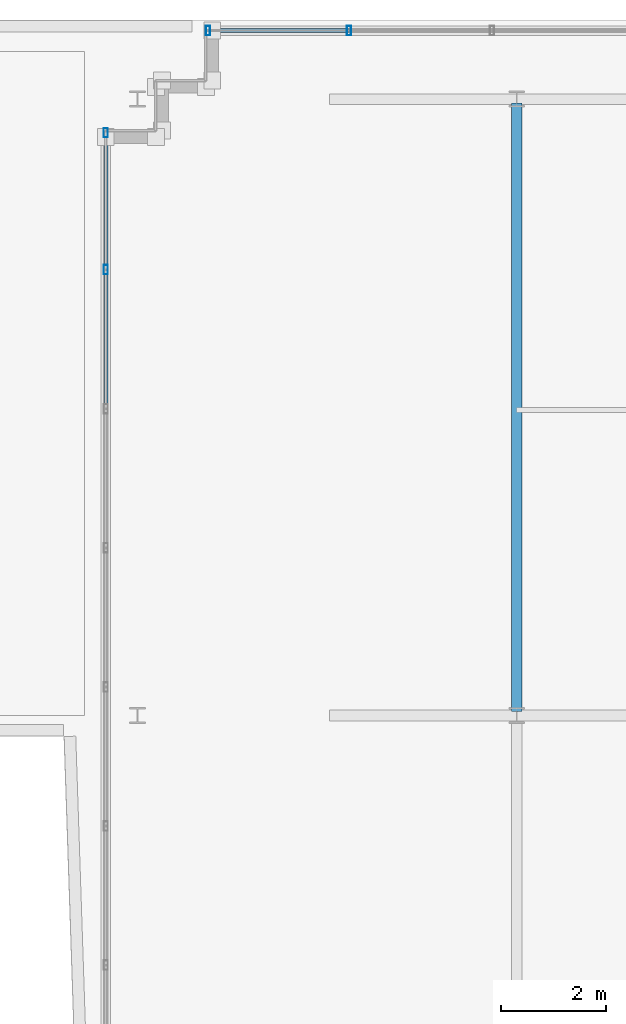
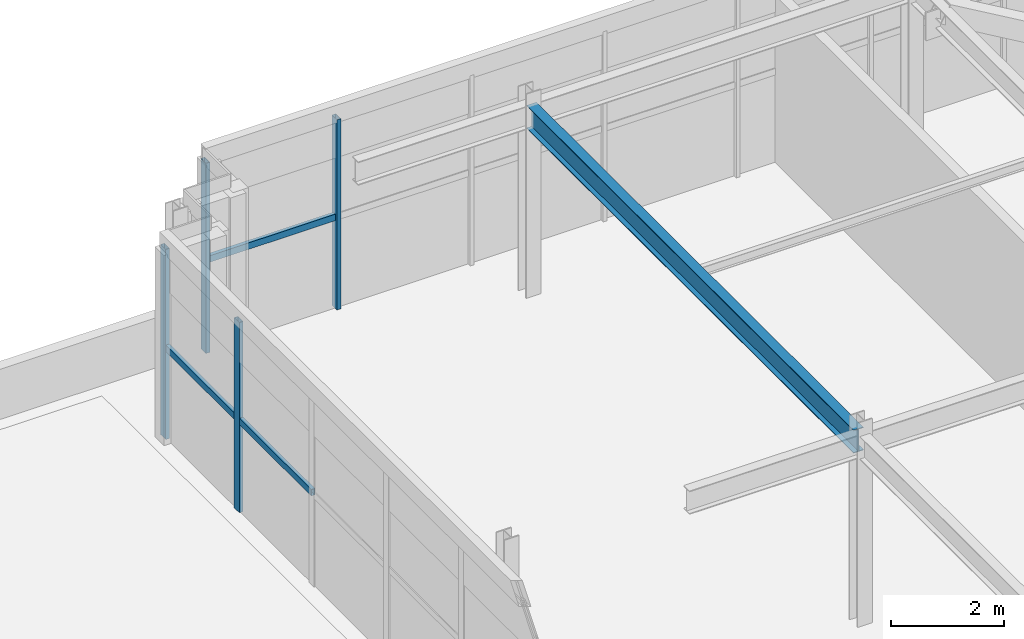
# One storey, part 20 of 31: 7 members, 1 beam, 2 elements without a shape of their own.
"""IFC4 building model written with IfcOpenShell, lengths in metres."""

from ifc_helpers import new_model, si_unit, direction, frame, origin, origin_2d, place, context, subcontext, project, spatial, hollow_rectangle, i_section, extrude, source, transform, mapped, material, material_profile, profile_set, type_object, element, aggregate, save


model = new_model("IFC4")

# Units and contexts
model_context = context("Model", 3, precision=1e-05, world=origin(), true_north=direction((0.0, 1.0)))
body_context = subcontext(model_context, "Body", "Model", "MODEL_VIEW")
ifc_project = project(units=[si_unit("LENGTHUNIT", "METRE"), si_unit("AREAUNIT", "SQUARE_METRE"), si_unit("VOLUMEUNIT", "CUBIC_METRE"), si_unit("PLANEANGLEUNIT", "RADIAN"), si_unit("MASSUNIT", "GRAM", prefix="KILO")], contexts=[model_context])

# Site, building, storey
site_placement = place(None, origin())
site = spatial("IfcSite", under=ifc_project, at=site_placement, CompositionType="ELEMENT")
building_placement = place(site_placement, origin())
building = spatial("IfcBuilding", under=site, at=building_placement, Name="Trelvane Seafront Commons", CompositionType="ELEMENT")
storey_placement = place(building_placement, frame((0.0, 0.0, 307.89990234375)))
storey = spatial("IfcBuildingStorey", under=building, at=storey_placement, Name="L80", CompositionType="ELEMENT", Elevation=307.89990234375)

# Beam
ifc_material_1 = material(Name="Steel SM355 (S355)", Category="steel")
ifc_material_profile_1 = material_profile(ifc_material_1, i_section(OverallWidth=0.199951171875, OverallDepth=0.5, WebThickness=0.010009765625, FlangeThickness=0.01611328125, at=origin_2d()), Name="H-500x200x10x16")
ifc_profile_set_1 = profile_set([ifc_material_profile_1], Name="Steel SM355 (S355)")
beam_type = type_object("IfcBeamType", Name="STR-BM-H500", PredefinedType="BEAM", material=ifc_profile_set_1)
shared_shape_1 = source(origin(), body_context, "Body", "SweptSolid", [
    extrude(i_section(OverallWidth=0.199951171875, OverallDepth=0.5, WebThickness=0.010009765625, FlangeThickness=0.01611328125, at=origin_2d()), origin(), (0.0, 0.0, 1.0), 11.5498046875),
])
beam_placement = place(storey_placement, frame((51.0, 33.47509765625, 3.85009765625), z_axis=(0.0, 1.0, 0.0), x_axis=(-1.0, 0.0, 0.0)))
element("IfcBeam", 1, at=beam_placement, inside=storey, type_object=beam_type, Name="L80 Primary Girder G-33", PredefinedType="BEAM", context=body_context, shape_type="MappedRepresentation", body=[
    mapped(shared_shape_1, transform((0.0, 0.0, 0.0), x_axis=(1.0, 0.0, 0.0), y_axis=(0.0, 1.0, 0.0), z_axis=(0.0, 0.0, 1.0), scale=1.0)),
])

# Curtain wall, members
ifc_material_2 = material(Name="Anodised pale-silver aluminium", Category="aluminium")
curtain_wall_type = type_object("IfcCurtainWallType", Name="ARCH-CW6-CROWN", PredefinedType="NOTDEFINED", material=ifc_material_2)
curtain_wall_1_placement = place(storey_placement, origin())
curtain_wall_1 = element("IfcCurtainWall", 2, at=curtain_wall_1_placement, inside=storey, type_object=curtain_wall_type, Name="CW-L80-0140", PredefinedType="NOTDEFINED")
ifc_material_profile_2 = material_profile(ifc_material_2, hollow_rectangle(XDim=0.080078125, YDim=0.179931640625, WallThickness=0.00439453125, at=origin_2d()), Name="MULL-80x180x4.5")
ifc_profile_set_2 = profile_set([ifc_material_profile_2], Name="Anodised pale-silver aluminium")
member_type_1 = type_object("IfcMemberType", Name="ARCH-CW-MULL-180", PredefinedType="MULLION", material=ifc_profile_set_2)
shared_shape_2 = source(origin(), body_context, "Body", "SweptSolid", [
    extrude(hollow_rectangle(XDim=0.080078125, YDim=0.179931640625, WallThickness=0.00439453125, at=origin_2d()), origin(), (0.0, 0.0, 1.0), 4.10009765625),
])
member_1_placement = place(storey_placement, frame((43.199951171875, 41.860107421875, 0.0), z_axis=(0.0, 0.0, 1.0), x_axis=(1.0, 0.0, 0.0)))
member_1 = element("IfcMember", 3, at=member_1_placement, type_object=member_type_1, Name="CW-L80-0140-M09", PredefinedType="MULLION", context=body_context, shape_type="MappedRepresentation", body=[
    mapped(shared_shape_2, transform((0.0, 0.0, 0.0), x_axis=(1.0, 0.0, 0.0), y_axis=(0.0, 1.0, 0.0), z_axis=(0.0, 0.0, 1.0), scale=1.0)),
])
member_2_placement = place(storey_placement, frame((43.199951171875, 44.4599609375, 0.0), z_axis=(0.0, 0.0, 1.0), x_axis=(1.0, 0.0, 0.0)))
member_2 = element("IfcMember", 4, at=member_2_placement, type_object=member_type_1, Name="CW-L80-0140-M10", PredefinedType="MULLION", context=body_context, shape_type="MappedRepresentation", body=[
    mapped(shared_shape_2, transform((0.0, 0.0, 0.0), x_axis=(1.0, 0.0, 0.0), y_axis=(0.0, 1.0, 0.0), z_axis=(0.0, 0.0, 1.0), scale=1.0)),
])

curtain_wall_2_placement = place(storey_placement, origin())
curtain_wall_2 = element("IfcCurtainWall", 5, at=curtain_wall_2_placement, inside=storey, type_object=curtain_wall_type, Name="CW-L80-0141", PredefinedType="NOTDEFINED")
member_3_placement = place(storey_placement, frame((45.139892578125, 46.39990234375, 0.0), z_axis=(0.0, 0.0, 1.0), x_axis=(1.0, 0.0, 0.0)))
member_3 = element("IfcMember", 6, at=member_3_placement, type_object=member_type_1, Name="CW-L80-0141-M00", PredefinedType="MULLION", context=body_context, shape_type="MappedRepresentation", body=[
    mapped(shared_shape_2, transform((0.0, 0.0, 0.0), x_axis=(1.0, 0.0, 0.0), y_axis=(0.0, 1.0, 0.0), z_axis=(0.0, 0.0, 1.0), scale=1.0)),
])
member_4_placement = place(storey_placement, frame((47.814208984375, 46.39990234375, 0.0), z_axis=(0.0, 0.0, 1.0), x_axis=(1.0, 0.0, 0.0)))
member_4 = element("IfcMember", 7, at=member_4_placement, type_object=member_type_1, Name="CW-L80-0141-M01", PredefinedType="MULLION", context=body_context, shape_type="MappedRepresentation", body=[
    mapped(shared_shape_2, transform((0.0, 0.0, 0.0), x_axis=(1.0, 0.0, 0.0), y_axis=(0.0, 1.0, 0.0), z_axis=(0.0, 0.0, 1.0), scale=1.0)),
])

# Member
ifc_material_profile_3 = material_profile(ifc_material_2, hollow_rectangle(XDim=0.074951171875, YDim=0.139892578125, WallThickness=0.00390625, at=origin_2d()), Name="TRAN-75x140x4")
ifc_profile_set_3 = profile_set([ifc_material_profile_3], Name="Anodised pale-silver aluminium")
member_type_2 = type_object("IfcMemberType", Name="ARCH-CW-TRAN-140", PredefinedType="USERDEFINED", material=ifc_profile_set_3)
shared_shape_3 = source(origin(), body_context, "Body", "SweptSolid", [
    extrude(hollow_rectangle(XDim=0.074951171875, YDim=0.139892578125, WallThickness=0.00390625, at=origin_2d()), origin(), (0.0, 0.0, 1.0), 2.615966796875),
])
member_5_placement = place(storey_placement, frame((43.199951171875, 39.23193359375, 1.968017578125), z_axis=(0.0, 1.0, 0.0), x_axis=(-1.0, 0.0, 0.0)))
member_5 = element("IfcMember", 8, at=member_5_placement, type_object=member_type_2, Name="CW-L80-0140-T08", ObjectType="TRANSOM", PredefinedType="USERDEFINED", context=body_context, shape_type="MappedRepresentation", body=[
    mapped(shared_shape_3, transform((0.0, 0.0, 0.0), x_axis=(1.0, 0.0, 0.0), y_axis=(0.0, 1.0, 0.0), z_axis=(0.0, 0.0, 1.0), scale=1.0)),
])

member_6_placement = place(storey_placement, frame((43.199951171875, 41.8720703125, 1.968017578125), z_axis=(0.0, 1.0, 0.0), x_axis=(-1.0, 0.0, 0.0)))
member_6 = element("IfcMember", 9, at=member_6_placement, type_object=member_type_2, Name="CW-L80-0140-T09", ObjectType="TRANSOM", PredefinedType="USERDEFINED", context=body_context, shape_type="MappedRepresentation", body=[
    mapped(shared_shape_3, transform((0.0, 0.0, 0.0), x_axis=(1.0, 0.0, 0.0), y_axis=(0.0, 1.0, 0.0), z_axis=(0.0, 0.0, 1.0), scale=1.0)),
])

aggregate(curtain_wall_1, [member_1, member_2, member_5, member_6])

shared_shape_4 = source(origin(), body_context, "Body", "SweptSolid", [
    extrude(hollow_rectangle(XDim=0.074951171875, YDim=0.139892578125, WallThickness=0.00390625, at=origin_2d()), origin(), (0.0, 0.0, 1.0), 2.690185546875),
])
member_7_placement = place(storey_placement, frame((45.112060546875, 46.39990234375, 1.968017578125), z_axis=(1.0, 0.0, 0.0), x_axis=(0.0, 1.0, 0.0)))
member_7 = element("IfcMember", 10, at=member_7_placement, type_object=member_type_2, Name="CW-L80-0141-T00", ObjectType="TRANSOM", PredefinedType="USERDEFINED", context=body_context, shape_type="MappedRepresentation", body=[
    mapped(shared_shape_4, transform((0.0, 0.0, 0.0), x_axis=(1.0, 0.0, 0.0), y_axis=(0.0, 1.0, 0.0), z_axis=(0.0, 0.0, 1.0), scale=1.0)),
])

aggregate(curtain_wall_2, [member_3, member_4, member_7])

save(model, "model.ifc")
